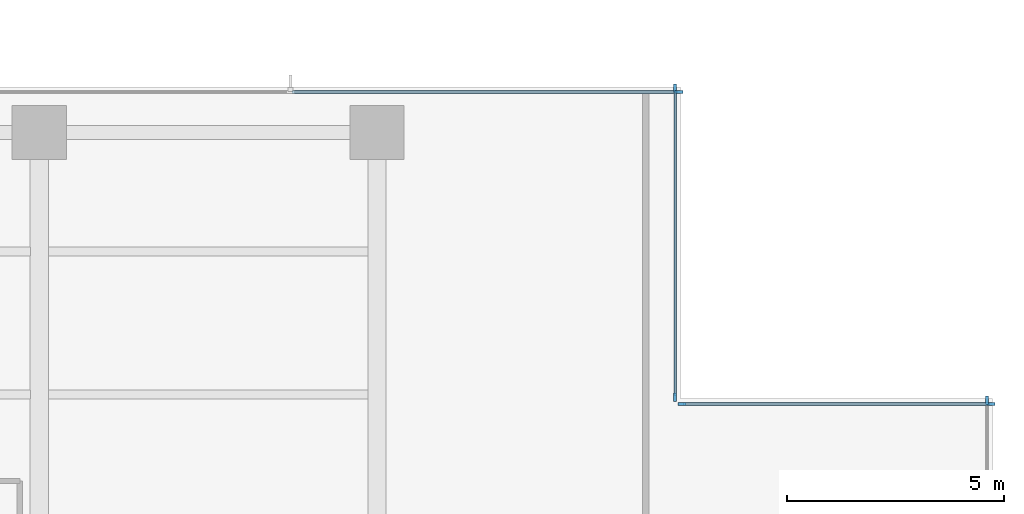
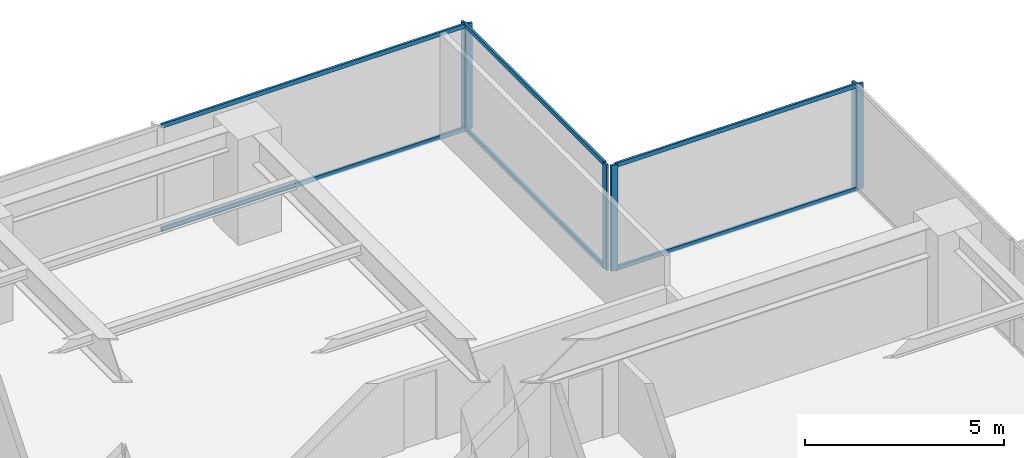
# One storey, part 6 of 16: 12 members, 4 elements without a shape of their own.
"""IFC4 building model written with IfcOpenShell, lengths in metres."""

from ifc_helpers import new_model, si_unit, direction, frame, origin, origin_2d, place, context, subcontext, project, spatial, rectangle, extrude, material, layer, layer_set, material_profile, profile_set, type_object, element, aggregate, save


model = new_model("IFC4")

# Units and contexts
model_context = context("Model", 3, precision=1e-05, world=origin(), true_north=direction((0.0, 1.0)))
body_context = subcontext(model_context, "Body", "Model", "MODEL_VIEW")
ifc_project = project(units=[si_unit("LENGTHUNIT", "METRE"), si_unit("AREAUNIT", "SQUARE_METRE"), si_unit("VOLUMEUNIT", "CUBIC_METRE"), si_unit("PLANEANGLEUNIT", "RADIAN"), si_unit("MASSUNIT", "GRAM", prefix="KILO")], contexts=[model_context])

# Site, building, storey
site_placement = place(None, origin())
site = spatial("IfcSite", under=ifc_project, at=site_placement, CompositionType="ELEMENT")
building_placement = place(site_placement, origin())
building = spatial("IfcBuilding", under=site, at=building_placement, Name="Qalmaran Belvedere Hotel", CompositionType="ELEMENT")
storey_placement = place(building_placement, frame((0.0, 0.0, 123.199951171875)))
storey = spatial("IfcBuildingStorey", under=building, at=storey_placement, Name="L31", CompositionType="ELEMENT", Elevation=123.199951171875)

# Curtain wall, member
ifc_material = material(Name="Anodised Bronze Aluminium", Category="aluminium")
ifc_layer = layer(ifc_material, 0.199951171875, Name="Anodised Bronze Aluminium")
ifc_layer_set = layer_set([ifc_layer], Name="Anodised Bronze Aluminium")
curtain_wall_type = type_object("IfcCurtainWallType", Name="CW3-TOWER-LOWMID", PredefinedType="NOTDEFINED", material=ifc_layer_set)
curtain_wall_1_placement = place(storey_placement, origin())
curtain_wall_1 = element("IfcCurtainWall", 1, at=curtain_wall_1_placement, inside=storey, type_object=curtain_wall_type, Name="L31 Curtain Wall CW3", PredefinedType="NOTDEFINED")
ifc_material_profile_1 = material_profile(ifc_material, rectangle(XDim=0.070068359375, YDim=0.18994140625, at=origin_2d()), Name="CWM70X190")
ifc_profile_set_1 = profile_set([ifc_material_profile_1], Name="Anodised Bronze Aluminium")
member_type_1 = type_object("IfcMemberType", Name="CWM-70X190", PredefinedType="MULLION", material=ifc_profile_set_1)
member_1_placement = place(storey_placement, frame((58.8798828125, 39.264892578125, 0.0), z_axis=(0.0, 0.0, 1.0), x_axis=(-1.0, 0.0, 0.0)))
member_1 = element("IfcMember", 2, at=member_1_placement, type_object=member_type_1, Name="CW3 mullion 5", PredefinedType="MULLION", context=body_context, shape_type="SweptSolid", body=[
    extrude(rectangle(XDim=0.070068359375, YDim=0.18994140625, at=origin_2d()), origin(), (0.0, 0.0, 1.0), 3.239990234375),
])
aggregate(curtain_wall_1, [member_1])

# Curtain wall, members
curtain_wall_2_placement = place(storey_placement, origin())
curtain_wall_2 = element("IfcCurtainWall", 3, at=curtain_wall_2_placement, inside=storey, type_object=curtain_wall_type, Name="L31 Curtain Wall CW3", PredefinedType="NOTDEFINED")
member_2_placement = place(storey_placement, frame((58.965087890625, 39.179931640625, 0.0), z_axis=(0.0, 0.0, 1.0), x_axis=(0.0, -1.0, 0.0)))
member_2 = element("IfcMember", 4, at=member_2_placement, type_object=member_type_1, Name="CW3 mullion 1", PredefinedType="MULLION", context=body_context, shape_type="SweptSolid", body=[
    extrude(rectangle(XDim=0.070068359375, YDim=0.18994140625, at=origin_2d()), origin(), (0.0, 0.0, 1.0), 3.239990234375),
])
member_3_placement = place(storey_placement, frame((51.8349609375, 39.179931640625, 0.0), z_axis=(0.0, 0.0, 1.0), x_axis=(0.0, -1.0, 0.0)))
member_3 = element("IfcMember", 5, at=member_3_placement, type_object=member_type_1, Name="CW3 mullion 2", PredefinedType="MULLION", context=body_context, shape_type="SweptSolid", body=[
    extrude(rectangle(XDim=0.070068359375, YDim=0.18994140625, at=origin_2d()), origin(), (0.0, 0.0, 1.0), 3.239990234375),
])

curtain_wall_3_placement = place(storey_placement, origin())
curtain_wall_3 = element("IfcCurtainWall", 6, at=curtain_wall_3_placement, inside=storey, type_object=curtain_wall_type, Name="L31 Curtain Wall CW3", PredefinedType="NOTDEFINED")
member_4_placement = place(storey_placement, frame((51.679931640625, 39.3349609375, 0.0), z_axis=(0.0, 0.0, 1.0), x_axis=(-1.0, 0.0, 0.0)))
member_4 = element("IfcMember", 7, at=member_4_placement, type_object=member_type_1, Name="CW3 mullion 1", PredefinedType="MULLION", context=body_context, shape_type="SweptSolid", body=[
    extrude(rectangle(XDim=0.070068359375, YDim=0.18994140625, at=origin_2d()), origin(), (0.0, 0.0, 1.0), 3.239990234375),
])
member_5_placement = place(storey_placement, frame((51.679931640625, 46.465087890625, 0.0), z_axis=(0.0, 0.0, 1.0), x_axis=(-1.0, 0.0, 0.0)))
member_5 = element("IfcMember", 8, at=member_5_placement, type_object=member_type_1, Name="CW3 mullion 2", PredefinedType="MULLION", context=body_context, shape_type="SweptSolid", body=[
    extrude(rectangle(XDim=0.070068359375, YDim=0.18994140625, at=origin_2d()), origin(), (0.0, 0.0, 1.0), 3.239990234375),
])

# Curtain wall, member
curtain_wall_4_placement = place(storey_placement, origin())
curtain_wall_4 = element("IfcCurtainWall", 9, at=curtain_wall_4_placement, inside=storey, type_object=curtain_wall_type, Name="L31 Curtain Wall CW3", PredefinedType="NOTDEFINED")
member_6_placement = place(storey_placement, frame((51.764892578125, 46.3798828125, 0.0), z_axis=(0.0, 0.0, 1.0), x_axis=(0.0, -1.0, 0.0)))
member_6 = element("IfcMember", 10, at=member_6_placement, type_object=member_type_1, Name="CW3 mullion 1", PredefinedType="MULLION", context=body_context, shape_type="SweptSolid", body=[
    extrude(rectangle(XDim=0.070068359375, YDim=0.18994140625, at=origin_2d()), origin(), (0.0, 0.0, 1.0), 3.239990234375),
])

# Member
ifc_material_profile_2 = material_profile(ifc_material, rectangle(XDim=0.06494140625, YDim=0.1298828125, at=origin_2d()), Name="CWT65X130")
ifc_profile_set_2 = profile_set([ifc_material_profile_2], Name="Anodised Bronze Aluminium")
member_type_2 = type_object("IfcMemberType", Name="CWT-65X130", PredefinedType="USERDEFINED", material=ifc_profile_set_2)
member_7_placement = place(storey_placement, frame((58.929931640625, 39.179931640625, 0.032470703125), z_axis=(-1.0, 0.0, 0.0), x_axis=(0.0, -1.0, 0.0)))
member_7 = element("IfcMember", 11, at=member_7_placement, type_object=member_type_2, Name="CW3 transom 1.1", ObjectType="TRANSOM", PredefinedType="USERDEFINED", context=body_context, shape_type="SweptSolid", body=[
    extrude(rectangle(XDim=0.06494140625, YDim=0.1298828125, at=origin_2d()), origin(), (0.0, 0.0, 1.0), 7.059814453125),
])

member_8_placement = place(storey_placement, frame((58.929931640625, 39.179931640625, 3.20751953125), z_axis=(-1.0, 0.0, 0.0), x_axis=(0.0, -1.0, 0.0)))
member_8 = element("IfcMember", 12, at=member_8_placement, type_object=member_type_2, Name="CW3 transom 1.2", ObjectType="TRANSOM", PredefinedType="USERDEFINED", context=body_context, shape_type="SweptSolid", body=[
    extrude(rectangle(XDim=0.06494140625, YDim=0.1298828125, at=origin_2d()), origin(), (0.0, 0.0, 1.0), 7.059814453125),
])

aggregate(curtain_wall_2, [member_2, member_3, member_7, member_8])

member_9_placement = place(storey_placement, frame((51.679931640625, 39.3701171875, 0.032470703125), z_axis=(0.0, 1.0, 0.0), x_axis=(-1.0, 0.0, 0.0)))
member_9 = element("IfcMember", 13, at=member_9_placement, type_object=member_type_2, Name="CW3 transom 1.1", ObjectType="TRANSOM", PredefinedType="USERDEFINED", context=body_context, shape_type="SweptSolid", body=[
    extrude(rectangle(XDim=0.06494140625, YDim=0.1298828125, at=origin_2d()), origin(), (0.0, 0.0, 1.0), 7.059814453125),
])

member_10_placement = place(storey_placement, frame((51.679931640625, 39.3701171875, 3.20751953125), z_axis=(0.0, 1.0, 0.0), x_axis=(-1.0, 0.0, 0.0)))
member_10 = element("IfcMember", 14, at=member_10_placement, type_object=member_type_2, Name="CW3 transom 1.2", ObjectType="TRANSOM", PredefinedType="USERDEFINED", context=body_context, shape_type="SweptSolid", body=[
    extrude(rectangle(XDim=0.06494140625, YDim=0.1298828125, at=origin_2d()), origin(), (0.0, 0.0, 1.0), 7.059814453125),
])

aggregate(curtain_wall_3, [member_4, member_5, member_9, member_10])

member_11_placement = place(storey_placement, frame((51.72998046875, 46.3798828125, 0.032470703125), z_axis=(-1.0, 0.0, 0.0), x_axis=(0.0, -1.0, 0.0)))
member_11 = element("IfcMember", 15, at=member_11_placement, type_object=member_type_2, Name="CW3 transom 1.1", ObjectType="TRANSOM", PredefinedType="USERDEFINED", context=body_context, shape_type="SweptSolid", body=[
    extrude(rectangle(XDim=0.06494140625, YDim=0.1298828125, at=origin_2d()), origin(), (0.0, 0.0, 1.0), 8.89501953125),
])

member_12_placement = place(storey_placement, frame((51.72998046875, 46.3798828125, 3.20751953125), z_axis=(-1.0, 0.0, 0.0), x_axis=(0.0, -1.0, 0.0)))
member_12 = element("IfcMember", 16, at=member_12_placement, type_object=member_type_2, Name="CW3 transom 1.2", ObjectType="TRANSOM", PredefinedType="USERDEFINED", context=body_context, shape_type="SweptSolid", body=[
    extrude(rectangle(XDim=0.06494140625, YDim=0.1298828125, at=origin_2d()), origin(), (0.0, 0.0, 1.0), 8.89501953125),
])

aggregate(curtain_wall_4, [member_6, member_11, member_12])

save(model, "model.ifc")
